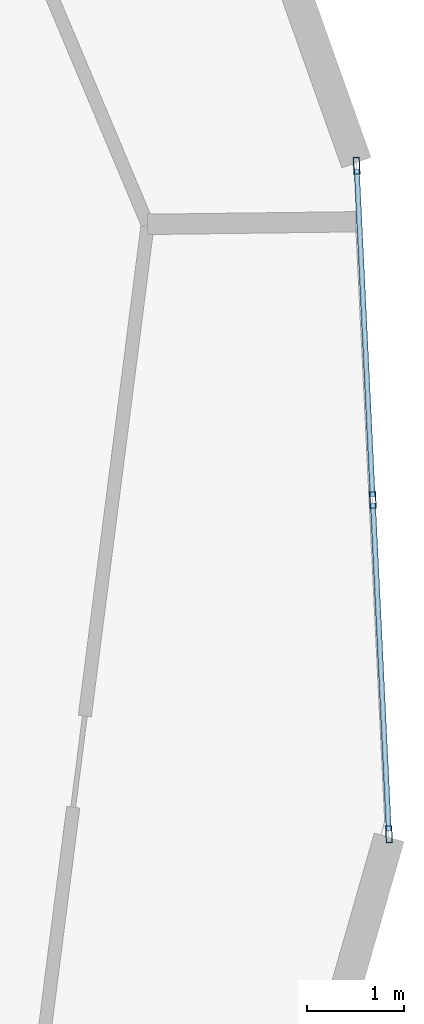
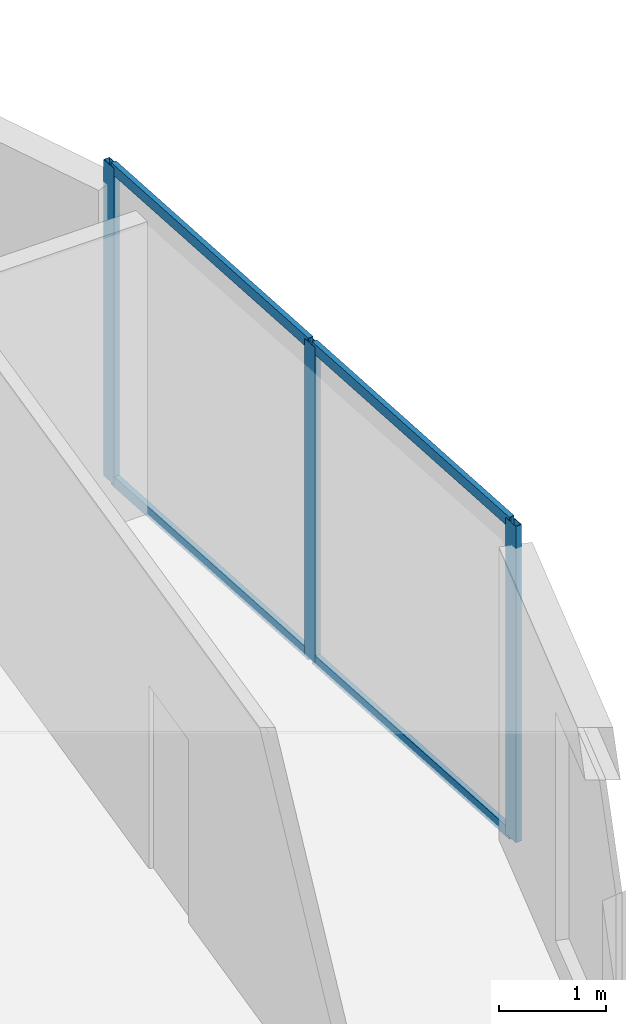
# One storey, part 10 of 22: 7 members, 1 element without a shape of its own.
"""IFC4 building model written with IfcOpenShell, lengths in metres."""

from ifc_helpers import new_model, si_unit, direction, frame, origin, origin_2d, place, context, subcontext, project, spatial, hollow_rectangle, extrude, source, transform, mapped, material, layer, layer_set, material_profile, profile_set, type_object, element, aggregate, save


model = new_model("IFC4")

# Units and contexts
model_context = context("Model", 3, precision=1e-05, world=origin(), true_north=direction((0.0, 1.0)))
body_context = subcontext(model_context, "Body", "Model", "MODEL_VIEW")
ifc_project = project(units=[si_unit("LENGTHUNIT", "METRE"), si_unit("AREAUNIT", "SQUARE_METRE"), si_unit("VOLUMEUNIT", "CUBIC_METRE"), si_unit("PLANEANGLEUNIT", "RADIAN"), si_unit("MASSUNIT", "GRAM", prefix="KILO")], contexts=[model_context])

# Site, building, storey
site_placement = place(None, origin())
site = spatial("IfcSite", under=ifc_project, at=site_placement, CompositionType="ELEMENT")
building_placement = place(site_placement, origin())
building = spatial("IfcBuilding", under=site, at=building_placement, Name="Solvirekh Grand Hotel", CompositionType="ELEMENT")
storey_placement = place(building_placement, frame((0.0, 0.0, 153.0)))
storey = spatial("IfcBuildingStorey", under=building, at=storey_placement, Name="L39", CompositionType="ELEMENT", Elevation=153.0)

# Curtain wall, members
ifc_material = material(Name="Anodized Bronze Aluminium 6063-T6", Category="aluminium")
ifc_layer = layer(ifc_material, 0.175048828125)
ifc_layer_set = layer_set([ifc_layer], Name="Anodized Bronze Aluminium 6063-T6")
curtain_wall_type = type_object("IfcCurtainWallType", Name="CW_Sys3_MidZoneFlushBronzeCW", PredefinedType="NOTDEFINED", material=ifc_layer_set)
curtain_wall_placement = place(storey_placement, origin())
curtain_wall = element("IfcCurtainWall", 1, at=curtain_wall_placement, inside=storey, type_object=curtain_wall_type, Name="L39 unitised bronze-glass curtain wall CW-L39-C03", PredefinedType="NOTDEFINED")
ifc_material_profile_1 = material_profile(ifc_material, hollow_rectangle(XDim=0.06494140625, YDim=0.175048828125, WallThickness=0.0048828125, at=origin_2d()), Name="ALU RHS 175X65X5")
ifc_profile_set_1 = profile_set([ifc_material_profile_1], Name="Anodized Bronze Aluminium 6063-T6")
member_type_1 = type_object("IfcMemberType", Name="CWMullion_Sys3", PredefinedType="MULLION", material=ifc_profile_set_1)
shared_shape_1 = source(origin(), body_context, "Body", "SweptSolid", [
    extrude(hollow_rectangle(XDim=0.06494140625, YDim=0.175048828125, WallThickness=0.0048828125, at=origin_2d()), origin(), (0.0, 0.0, 1.0), 3.60009765625),
])
member_1_placement = place(storey_placement, frame((23.193359375, -6.33642578125, 0.0), z_axis=(0.0, 0.0, 1.0), x_axis=(-0.998829947397, -0.048360481624, 0.0)))
member_1 = element("IfcMember", 2, at=member_1_placement, type_object=member_type_1, Name="U03 mullion 1", PredefinedType="MULLION", context=body_context, shape_type="MappedRepresentation", body=[
    mapped(shared_shape_1, transform((0.0, 0.0, 0.0), x_axis=(1.0, 0.0, 0.0), y_axis=(0.0, 1.0, 0.0), z_axis=(0.0, 0.0, 1.0), scale=1.0)),
])
member_2_placement = place(storey_placement, frame((23.02587890625, -2.87841796875, 0.0), z_axis=(0.0, 0.0, 1.0), x_axis=(-0.998829947397, -0.048360481624, 0.0)))
member_2 = element("IfcMember", 3, at=member_2_placement, type_object=member_type_1, Name="U03 mullion 2", PredefinedType="MULLION", context=body_context, shape_type="MappedRepresentation", body=[
    mapped(shared_shape_1, transform((0.0, 0.0, 0.0), x_axis=(1.0, 0.0, 0.0), y_axis=(0.0, 1.0, 0.0), z_axis=(0.0, 0.0, 1.0), scale=1.0)),
])
member_3_placement = place(storey_placement, frame((22.858642578125, 0.57958984375, 0.0), z_axis=(0.0, 0.0, 1.0), x_axis=(-0.998829947397, -0.048360481624, 0.0)))
member_3 = element("IfcMember", 4, at=member_3_placement, type_object=member_type_1, Name="U03 mullion 3", PredefinedType="MULLION", context=body_context, shape_type="MappedRepresentation", body=[
    mapped(shared_shape_1, transform((0.0, 0.0, 0.0), x_axis=(1.0, 0.0, 0.0), y_axis=(0.0, 1.0, 0.0), z_axis=(0.0, 0.0, 1.0), scale=1.0)),
])
ifc_material_profile_2 = material_profile(ifc_material, hollow_rectangle(XDim=0.054931640625, YDim=0.1201171875, WallThickness=0.00390625, at=origin_2d()), Name="ALU RHS 120X55X4")
ifc_profile_set_2 = profile_set([ifc_material_profile_2], Name="Anodized Bronze Aluminium 6063-T6")
member_type_2 = type_object("IfcMemberType", Name="CWTransom_Sys3", PredefinedType="USERDEFINED", material=ifc_profile_set_2)
shared_shape_2 = source(origin(), body_context, "Body", "SweptSolid", [
    extrude(hollow_rectangle(XDim=0.054931640625, YDim=0.1201171875, WallThickness=0.00390625, at=origin_2d()), origin(), (0.0, 0.0, 1.0), 3.39697265625),
])
member_4_placement = place(storey_placement, frame((23.19189453125, -6.303955078125, 0.027587890625), z_axis=(-0.048367558209, 0.998829604744, 0.0), x_axis=(-0.998829604744, -0.048367558209, 0.0)))
member_4 = element("IfcMember", 5, at=member_4_placement, type_object=member_type_2, Name="U03 transom 1.1", ObjectType="TRANSOM", PredefinedType="USERDEFINED", context=body_context, shape_type="MappedRepresentation", body=[
    mapped(shared_shape_2, transform((0.0, 0.0, 0.0), x_axis=(1.0, 0.0, 0.0), y_axis=(0.0, 1.0, 0.0), z_axis=(0.0, 0.0, 1.0), scale=1.0)),
])
member_5_placement = place(storey_placement, frame((23.19189453125, -6.303955078125, 3.572509765625), z_axis=(-0.048367558209, 0.998829604744, 0.0), x_axis=(-0.998829604744, -0.048367558209, 0.0)))
member_5 = element("IfcMember", 6, at=member_5_placement, type_object=member_type_2, Name="U03 transom 1.2", ObjectType="TRANSOM", PredefinedType="USERDEFINED", context=body_context, shape_type="MappedRepresentation", body=[
    mapped(shared_shape_2, transform((0.0, 0.0, 0.0), x_axis=(1.0, 0.0, 0.0), y_axis=(0.0, 1.0, 0.0), z_axis=(0.0, 0.0, 1.0), scale=1.0)),
])
member_6_placement = place(storey_placement, frame((23.0244140625, -2.845947265625, 0.027587890625), z_axis=(-0.048367558209, 0.998829604744, 0.0), x_axis=(-0.998829604744, -0.048367558209, 0.0)))
member_6 = element("IfcMember", 7, at=member_6_placement, type_object=member_type_2, Name="U03 transom 2.1", ObjectType="TRANSOM", PredefinedType="USERDEFINED", context=body_context, shape_type="MappedRepresentation", body=[
    mapped(shared_shape_2, transform((0.0, 0.0, 0.0), x_axis=(1.0, 0.0, 0.0), y_axis=(0.0, 1.0, 0.0), z_axis=(0.0, 0.0, 1.0), scale=1.0)),
])
member_7_placement = place(storey_placement, frame((23.0244140625, -2.845947265625, 3.572509765625), z_axis=(-0.048367558209, 0.998829604744, 0.0), x_axis=(-0.998829604744, -0.048367558209, 0.0)))
member_7 = element("IfcMember", 8, at=member_7_placement, type_object=member_type_2, Name="U03 transom 2.2", ObjectType="TRANSOM", PredefinedType="USERDEFINED", context=body_context, shape_type="MappedRepresentation", body=[
    mapped(shared_shape_2, transform((0.0, 0.0, 0.0), x_axis=(1.0, 0.0, 0.0), y_axis=(0.0, 1.0, 0.0), z_axis=(0.0, 0.0, 1.0), scale=1.0)),
])
aggregate(curtain_wall, [member_1, member_2, member_3, member_4, member_5, member_6, member_7])

save(model, "model.ifc")
